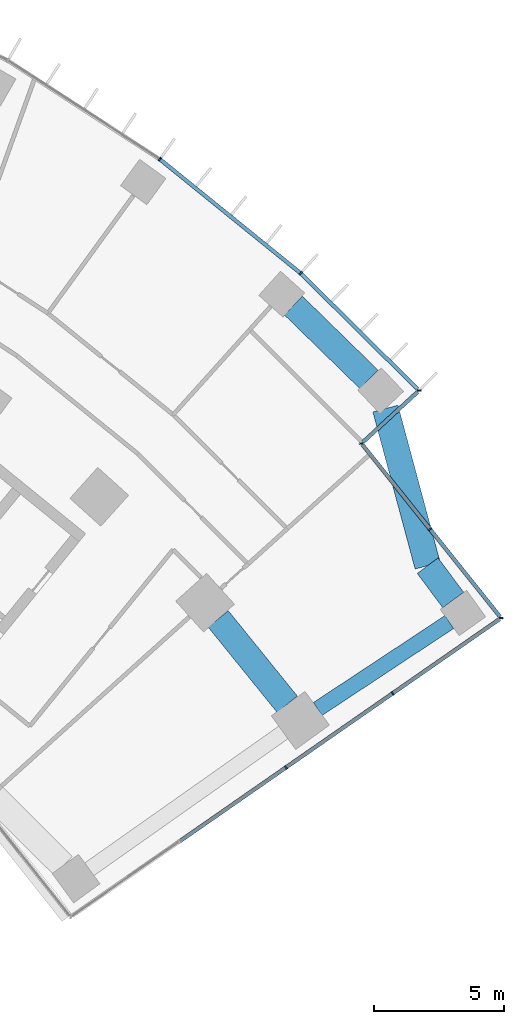
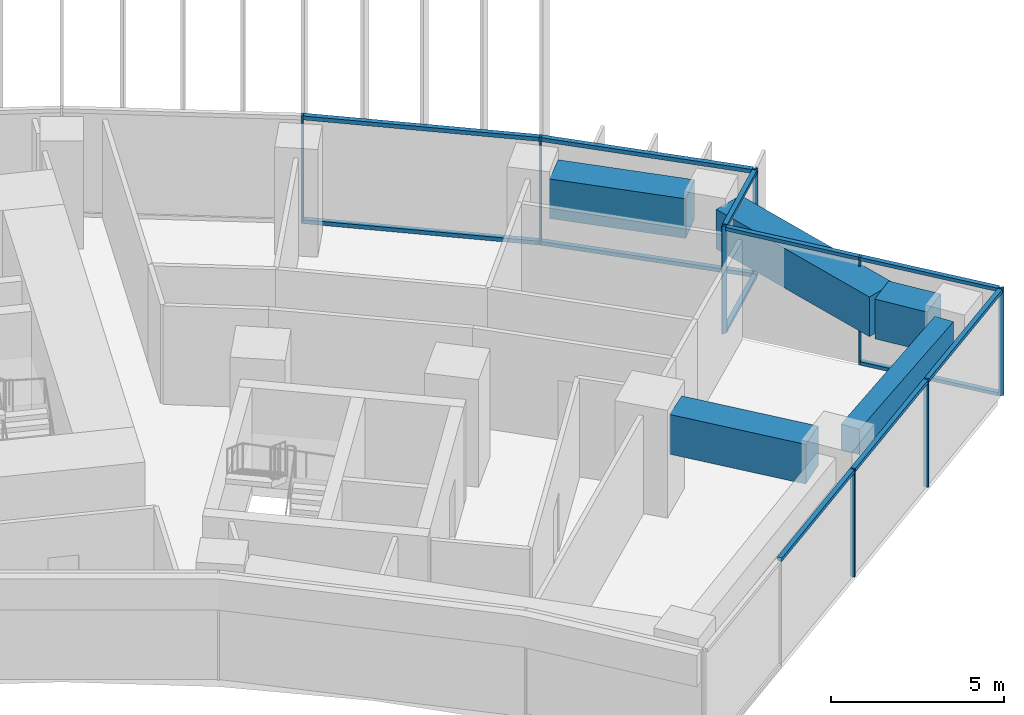
# One storey, part 11 of 24: 20 members, 5 beams, 4 elements without a shape of their own.
"""IFC4 building model written with IfcOpenShell, lengths in metres."""

from ifc_helpers import new_model, si_unit, direction, frame, origin, origin_2d, place, context, subcontext, project, spatial, rectangle, extrude, material, layer, layer_set, material_profile, profile_set, type_object, element, aggregate, save


model = new_model("IFC4")

# Units and contexts
model_context = context("Model", 3, precision=1e-05, world=origin(), true_north=direction((0.0, 1.0)))
body_context = subcontext(model_context, "Body", "Model", "MODEL_VIEW")
ifc_project = project(units=[si_unit("LENGTHUNIT", "METRE"), si_unit("AREAUNIT", "SQUARE_METRE"), si_unit("VOLUMEUNIT", "CUBIC_METRE"), si_unit("PLANEANGLEUNIT", "RADIAN"), si_unit("MASSUNIT", "GRAM", prefix="KILO")], contexts=[model_context])

# Site, building, storey
site_placement = place(None, origin())
site = spatial("IfcSite", under=ifc_project, at=site_placement, CompositionType="ELEMENT")
building_placement = place(site_placement, origin())
building = spatial("IfcBuilding", under=site, at=building_placement, Name="Stone Belt Terrace Tower", CompositionType="ELEMENT")
storey_placement = place(building_placement, frame((0.0, 0.0, 64.199951171875)))
storey = spatial("IfcBuildingStorey", under=building, at=storey_placement, Name="L15", CompositionType="ELEMENT", Elevation=64.199951171875)

# Curtain wall, members
ifc_material_1 = material(Name="Aluminium 6063-T6 anodised frame", Category="aluminium")
ifc_layer_1 = layer(ifc_material_1, 0.14990234375)
ifc_layer_set_1 = layer_set([ifc_layer_1], Name="CW-A unitised convex-face curtain wall")
curtain_wall_type_1 = type_object("IfcCurtainWallType", Name="CW-A unitised convex-face curtain wall", PredefinedType="NOTDEFINED", material=ifc_layer_set_1)
curtain_wall_1_placement = place(storey_placement, origin())
curtain_wall_1 = element("IfcCurtainWall", 1, at=curtain_wall_1_placement, inside=storey, type_object=curtain_wall_type_1, Name="CW-A convex face L15", PredefinedType="NOTDEFINED")
ifc_material_profile_1 = material_profile(ifc_material_1, rectangle(XDim=0.14990234375, YDim=0.06005859375, at=origin_2d()), Name="Aluminium 6063-T6 60x150")
ifc_profile_set_1 = profile_set([ifc_material_profile_1], Name="Aluminium 6063-T6 anodised frame")
member_type_1 = type_object("IfcMemberType", Name="CW-A mullion 60 x 150", PredefinedType="MULLION", material=ifc_profile_set_1)
member_1_placement = place(storey_placement, frame((49.104736328125, 44.960693359375, 0.0), z_axis=(0.0, 0.0, 1.0), x_axis=(-0.999817888415, 0.019083762848, 0.0)))
member_1 = element("IfcMember", 2, at=member_1_placement, type_object=member_type_1, Name="CW-A mullion 1", PredefinedType="MULLION", context=body_context, shape_type="SweptSolid", body=[
    extrude(rectangle(XDim=0.14990234375, YDim=0.06005859375, at=origin_2d()), origin(), (0.0, 0.0, 1.0), 3.800048828125),
])
member_2_placement = place(storey_placement, frame((44.54736328125, 49.47509765625, 0.0), z_axis=(0.0, 0.0, 1.0), x_axis=(-0.667371194866, -0.744725243471, 0.0)))
member_2 = element("IfcMember", 3, at=member_2_placement, type_object=member_type_1, Name="CW-A mullion 2", PredefinedType="MULLION", context=body_context, shape_type="SweptSolid", body=[
    extrude(rectangle(XDim=0.14990234375, YDim=0.06005859375, at=origin_2d()), origin(), (0.0, 0.0, 1.0), 3.800048828125),
])
member_3_placement = place(storey_placement, frame((39.1318359375, 53.8603515625, 0.0), z_axis=(0.0, 0.0, 1.0), x_axis=(-0.587785252292, -0.809016994375, 0.0)))
member_3 = element("IfcMember", 4, at=member_3_placement, type_object=member_type_1, Name="CW-A mullion 3", PredefinedType="MULLION", context=body_context, shape_type="SweptSolid", body=[
    extrude(rectangle(XDim=0.14990234375, YDim=0.06005859375, at=origin_2d()), origin(), (0.0, 0.0, 1.0), 3.800048828125),
])
ifc_material_profile_2 = material_profile(ifc_material_1, rectangle(XDim=0.14990234375, YDim=0.139892578125, at=origin_2d()), Name="Aluminium 6063-T6 150x140")
ifc_profile_set_2 = profile_set([ifc_material_profile_2], Name="Aluminium 6063-T6 anodised frame")
member_type_2 = type_object("IfcMemberType", Name="CW-A transom 140 x 150", PredefinedType="USERDEFINED", material=ifc_profile_set_2)
member_4_placement = place(storey_placement, frame((49.05126953125, 45.013427734375, 0.070068359375), z_axis=(-0.710428470855, 0.703769413799, 0.0), x_axis=(-0.703769413799, -0.710428470855, 0.0)))
member_4 = element("IfcMember", 5, at=member_4_placement, type_object=member_type_2, Name="CW-A transom 1.1", ObjectType="TRANSOM", PredefinedType="USERDEFINED", context=body_context, shape_type="SweptSolid", body=[
    extrude(rectangle(XDim=0.14990234375, YDim=0.139892578125, at=origin_2d()), origin(), (0.0, 0.0, 1.0), 6.305908203125),
])
member_5_placement = place(storey_placement, frame((49.05126953125, 45.013427734375, 3.72998046875), z_axis=(-0.710428470855, 0.703769413799, 0.0), x_axis=(-0.703769413799, -0.710428470855, 0.0)))
member_5 = element("IfcMember", 6, at=member_5_placement, type_object=member_type_2, Name="CW-A transom 1.2", ObjectType="TRANSOM", PredefinedType="USERDEFINED", context=body_context, shape_type="SweptSolid", body=[
    extrude(rectangle(XDim=0.14990234375, YDim=0.139892578125, at=origin_2d()), origin(), (0.0, 0.0, 1.0), 6.305908203125),
])
member_6_placement = place(storey_placement, frame((44.52099609375, 49.496337890625, 0.070068359375), z_axis=(-0.777141048626, 0.629326457842, 0.0), x_axis=(-0.629326457842, -0.777141048626, 0.0)))
member_6 = element("IfcMember", 7, at=member_6_placement, type_object=member_type_2, Name="CW-A transom 2.1", ObjectType="TRANSOM", PredefinedType="USERDEFINED", context=body_context, shape_type="SweptSolid", body=[
    extrude(rectangle(XDim=0.14990234375, YDim=0.139892578125, at=origin_2d()), origin(), (0.0, 0.0, 1.0), 6.900634765625),
])
member_7_placement = place(storey_placement, frame((44.52099609375, 49.496337890625, 3.72998046875), z_axis=(-0.777141048626, 0.629326457842, 0.0), x_axis=(-0.629326457842, -0.777141048626, 0.0)))
member_7 = element("IfcMember", 8, at=member_7_placement, type_object=member_type_2, Name="CW-A transom 2.2", ObjectType="TRANSOM", PredefinedType="USERDEFINED", context=body_context, shape_type="SweptSolid", body=[
    extrude(rectangle(XDim=0.14990234375, YDim=0.139892578125, at=origin_2d()), origin(), (0.0, 0.0, 1.0), 6.900634765625),
])
aggregate(curtain_wall_1, [member_1, member_2, member_3, member_4, member_5, member_6, member_7])

ifc_layer_2 = layer(ifc_material_1, 0.14990234375)
ifc_layer_set_2 = layer_set([ifc_layer_2], Name="CW-C stick curtain wall, horn ends and notches")
curtain_wall_type_2 = type_object("IfcCurtainWallType", Name="CW-C stick curtain wall, horn ends and notches", PredefinedType="NOTDEFINED", material=ifc_layer_set_2)
curtain_wall_2_placement = place(storey_placement, origin())
curtain_wall_2 = element("IfcCurtainWall", 9, at=curtain_wall_2_placement, inside=storey, type_object=curtain_wall_type_2, Name="CW-C end face L15", PredefinedType="NOTDEFINED")
ifc_material_profile_3 = material_profile(ifc_material_1, rectangle(XDim=0.14990234375, YDim=0.06005859375, at=origin_2d()), Name="Aluminium 6063-T6 60x150")
ifc_profile_set_3 = profile_set([ifc_material_profile_3], Name="Aluminium 6063-T6 anodised frame")
member_type_3 = type_object("IfcMemberType", Name="CW-C mullion 60 x 150", PredefinedType="MULLION", material=ifc_profile_set_3)
member_8_placement = place(storey_placement, frame((43.980712890625, 30.462158203125, 0.0), z_axis=(0.0, 0.0, 1.0), x_axis=(-0.570537322339, 0.821271674793, 0.0)))
member_8 = element("IfcMember", 10, at=member_8_placement, type_object=member_type_3, Name="CW-C mullion 3", PredefinedType="MULLION", context=body_context, shape_type="SweptSolid", body=[
    extrude(rectangle(XDim=0.14990234375, YDim=0.06005859375, at=origin_2d()), origin(), (0.0, 0.0, 1.0), 3.800048828125),
])
member_9_placement = place(storey_placement, frame((48.087158203125, 33.31494140625, 0.0), z_axis=(0.0, 0.0, 1.0), x_axis=(-0.570537322339, 0.821271674793, 0.0)))
member_9 = element("IfcMember", 11, at=member_9_placement, type_object=member_type_3, Name="CW-C mullion 4", PredefinedType="MULLION", context=body_context, shape_type="SweptSolid", body=[
    extrude(rectangle(XDim=0.14990234375, YDim=0.06005859375, at=origin_2d()), origin(), (0.0, 0.0, 1.0), 3.800048828125),
])

curtain_wall_3_placement = place(storey_placement, origin())
curtain_wall_3 = element("IfcCurtainWall", 12, at=curtain_wall_3_placement, inside=storey, type_object=curtain_wall_type_2, Name="CW-C notch face L15", PredefinedType="NOTDEFINED")
member_10_placement = place(storey_placement, frame((52.259521484375, 36.21337890625, 0.0), z_axis=(0.0, 0.0, 1.0), x_axis=(-0.989591903189, 0.143902276362, 0.0)))
member_10 = element("IfcMember", 13, at=member_10_placement, type_object=member_type_3, Name="CW-C mullion 1", PredefinedType="MULLION", context=body_context, shape_type="SweptSolid", body=[
    extrude(rectangle(XDim=0.14990234375, YDim=0.06005859375, at=origin_2d()), origin(), (0.0, 0.0, 1.0), 3.800048828125),
])
member_11_placement = place(storey_placement, frame((49.52685546875, 39.628662109375, 0.0), z_axis=(0.0, 0.0, 1.0), x_axis=(-0.780813712139, -0.624763912959, 0.0)))
member_11 = element("IfcMember", 14, at=member_11_placement, type_object=member_type_3, Name="CW-C mullion 2", PredefinedType="MULLION", context=body_context, shape_type="SweptSolid", body=[
    extrude(rectangle(XDim=0.14990234375, YDim=0.06005859375, at=origin_2d()), origin(), (0.0, 0.0, 1.0), 3.800048828125),
])

# Curtain wall, member
curtain_wall_4_placement = place(storey_placement, origin())
curtain_wall_4 = element("IfcCurtainWall", 15, at=curtain_wall_4_placement, inside=storey, type_object=curtain_wall_type_2, Name="CW-C notch face L15", PredefinedType="NOTDEFINED")
member_12_placement = place(storey_placement, frame((46.887939453125, 42.926513671875, 0.0), z_axis=(0.0, 0.0, 1.0), x_axis=(-0.99705735712, 0.076659158705, 0.0)))
member_12 = element("IfcMember", 16, at=member_12_placement, type_object=member_type_3, Name="CW-C mullion 1", PredefinedType="MULLION", context=body_context, shape_type="SweptSolid", body=[
    extrude(rectangle(XDim=0.14990234375, YDim=0.06005859375, at=origin_2d()), origin(), (0.0, 0.0, 1.0), 3.800048828125),
])

# Member
ifc_material_profile_4 = material_profile(ifc_material_1, rectangle(XDim=0.14990234375, YDim=0.1201171875, at=origin_2d()), Name="Aluminium 6063-T6 150x120")
ifc_profile_set_4 = profile_set([ifc_material_profile_4], Name="Aluminium 6063-T6 anodised frame")
member_type_4 = type_object("IfcMemberType", Name="CW-C transom 120 x 150", PredefinedType="USERDEFINED", material=ifc_profile_set_4)
member_13_placement = place(storey_placement, frame((39.899169921875, 27.62646484375, 3.739990234375), z_axis=(0.821260614426, 0.570553243083, 0.0), x_axis=(-0.570553243083, 0.821260614426, 0.0)))
member_13 = element("IfcMember", 17, at=member_13_placement, type_object=member_type_4, Name="CW-C transom 2.1", ObjectType="TRANSOM", PredefinedType="USERDEFINED", context=body_context, shape_type="SweptSolid", body=[
    extrude(rectangle(XDim=0.14990234375, YDim=0.1201171875, at=origin_2d()), origin(), (0.0, 0.0, 1.0), 4.940185546875),
])

member_14_placement = place(storey_placement, frame((44.00537109375, 30.479248046875, 3.739990234375), z_axis=(0.821283771249, 0.570519909454, 0.0), x_axis=(-0.570519909454, 0.821283771249, 0.0)))
member_14 = element("IfcMember", 18, at=member_14_placement, type_object=member_type_4, Name="CW-C transom 3.1", ObjectType="TRANSOM", PredefinedType="USERDEFINED", context=body_context, shape_type="SweptSolid", body=[
    extrude(rectangle(XDim=0.14990234375, YDim=0.1201171875, at=origin_2d()), origin(), (0.0, 0.0, 1.0), 4.93994140625),
])

member_15_placement = place(storey_placement, frame((48.11181640625, 33.33203125, 3.739990234375), z_axis=(0.821267127677, 0.570543867724, 0.0), x_axis=(-0.570543867724, 0.821267127677, 0.0)))
member_15 = element("IfcMember", 19, at=member_15_placement, type_object=member_type_4, Name="CW-C transom 4.1", ObjectType="TRANSOM", PredefinedType="USERDEFINED", context=body_context, shape_type="SweptSolid", body=[
    extrude(rectangle(XDim=0.14990234375, YDim=0.1201171875, at=origin_2d()), origin(), (0.0, 0.0, 1.0), 4.974853515625),
])

aggregate(curtain_wall_2, [member_8, member_9, member_13, member_14, member_15])

member_16_placement = place(storey_placement, frame((52.21240234375, 36.27197265625, 0.06005859375), z_axis=(-0.624750841732, 0.780824170832, 0.0), x_axis=(-0.780824170832, -0.624750841732, 0.0)))
member_16 = element("IfcMember", 20, at=member_16_placement, type_object=member_type_4, Name="CW-C transom 1.1", ObjectType="TRANSOM", PredefinedType="USERDEFINED", context=body_context, shape_type="SweptSolid", body=[
    extrude(rectangle(XDim=0.14990234375, YDim=0.1201171875, at=origin_2d()), origin(), (0.0, 0.0, 1.0), 4.268798828125),
])

member_17_placement = place(storey_placement, frame((52.21240234375, 36.27197265625, 3.739990234375), z_axis=(-0.624750841732, 0.780824170832, 0.0), x_axis=(-0.780824170832, -0.624750841732, 0.0)))
member_17 = element("IfcMember", 21, at=member_17_placement, type_object=member_type_4, Name="CW-C transom 1.2", ObjectType="TRANSOM", PredefinedType="USERDEFINED", context=body_context, shape_type="SweptSolid", body=[
    extrude(rectangle(XDim=0.14990234375, YDim=0.1201171875, at=origin_2d()), origin(), (0.0, 0.0, 1.0), 4.268798828125),
])

member_18_placement = place(storey_placement, frame((49.508056640625, 39.652099609375, 3.739990234375), z_axis=(-0.62478897562, 0.780793657725, 0.0), x_axis=(-0.780793657725, -0.62478897562, 0.0)))
member_18 = element("IfcMember", 22, at=member_18_placement, type_object=member_type_4, Name="CW-C transom 2.1", ObjectType="TRANSOM", PredefinedType="USERDEFINED", context=body_context, shape_type="SweptSolid", body=[
    extrude(rectangle(XDim=0.14990234375, YDim=0.1201171875, at=origin_2d()), origin(), (0.0, 0.0, 1.0), 4.12060546875),
])

aggregate(curtain_wall_3, [member_10, member_11, member_16, member_17, member_18])

member_19_placement = place(storey_placement, frame((46.94189453125, 42.975830078125, 0.06005859375), z_axis=(0.736757207499, 0.676157390848, 0.0), x_axis=(-0.676157390848, 0.736757207499, 0.0)))
member_19 = element("IfcMember", 23, at=member_19_placement, type_object=member_type_4, Name="CW-C transom 1.1", ObjectType="TRANSOM", PredefinedType="USERDEFINED", context=body_context, shape_type="SweptSolid", body=[
    extrude(rectangle(XDim=0.14990234375, YDim=0.1201171875, at=origin_2d()), origin(), (0.0, 0.0, 1.0), 2.8603515625),
])

member_20_placement = place(storey_placement, frame((46.94189453125, 42.975830078125, 3.739990234375), z_axis=(0.736757207499, 0.676157390848, 0.0), x_axis=(-0.676157390848, 0.736757207499, 0.0)))
member_20 = element("IfcMember", 24, at=member_20_placement, type_object=member_type_4, Name="CW-C transom 1.2", ObjectType="TRANSOM", PredefinedType="USERDEFINED", context=body_context, shape_type="SweptSolid", body=[
    extrude(rectangle(XDim=0.14990234375, YDim=0.1201171875, at=origin_2d()), origin(), (0.0, 0.0, 1.0), 2.8603515625),
])

aggregate(curtain_wall_4, [member_12, member_19, member_20])

# Beams
ifc_material_2 = material(Name="Concrete B60", Category="concrete")
ifc_material_profile_5 = material_profile(ifc_material_2, rectangle(XDim=0.60009765625, YDim=0.89990234375, at=origin_2d()), Name="RC 600x900")
ifc_profile_set_5 = profile_set([ifc_material_profile_5], Name="Concrete B60")
beam_type_1 = type_object("IfcBeamType", Name="Edge beam RC 600x900 B60", PredefinedType="SPANDREL", material=ifc_profile_set_5)
beam_1_placement = place(storey_placement, frame((45.204345703125, 32.7138671875, 3.030029296875), z_axis=(0.83437001068, 0.551204758032, 0.0), x_axis=(-0.551204758032, 0.83437001068, 0.0)))
element("IfcBeam", 25, at=beam_1_placement, inside=storey, type_object=beam_type_1, Name="Edge beam L15 B Q to R", PredefinedType="SPANDREL", context=body_context, shape_type="SweptSolid", body=[
    extrude(rectangle(XDim=0.60009765625, YDim=0.89990234375, at=origin_2d()), origin(), (0.0, 0.0, 1.0), 6.06884765625),
])
ifc_material_3 = material(Name="Concrete B80", Category="concrete")
ifc_material_profile_6 = material_profile(ifc_material_3, rectangle(XDim=1.0, YDim=1.39990234375, at=origin_2d()), Name="RC 1000x1400")
ifc_profile_set_6 = profile_set([ifc_material_profile_6], Name="Concrete B80")
beam_type_2 = type_object("IfcBeamType", Name="Transfer beam RC 1000x1400 B80", PredefinedType="BEAM", material=ifc_profile_set_6)
beam_2_placement = place(storey_placement, frame((41.376708984375, 36.17919921875, 2.780029296875), z_axis=(0.628845608618, -0.777530192675, 0.0), x_axis=(0.777530192675, 0.628845608618, 0.0)))
element("IfcBeam", 26, at=beam_2_placement, inside=storey, type_object=beam_type_2, Name="Transfer beam L15 QQ30-QB", PredefinedType="BEAM", context=body_context, shape_type="SweptSolid", body=[
    extrude(rectangle(XDim=1.0, YDim=1.39990234375, at=origin_2d()), origin(), (0.0, 0.0, 1.0), 4.22314453125),
])
beam_3_placement = place(storey_placement, frame((47.80859375, 44.26708984375, 2.780029296875), z_axis=(0.259661333853, -0.965699742001, 0.0), x_axis=(0.965699742001, 0.259661333853, 0.0)))
element("IfcBeam", 27, at=beam_3_placement, inside=storey, type_object=beam_type_2, Name="Transfer beam L15 RRNB-RB", PredefinedType="BEAM", context=body_context, shape_type="SweptSolid", body=[
    extrude(rectangle(XDim=1.0, YDim=1.39990234375, at=origin_2d()), origin(), (0.0, 0.0, 1.0), 6.25537109375),
])
beam_4_placement = place(storey_placement, frame((49.432861328125, 38.226318359375, 2.780029296875), z_axis=(0.597221511832, -0.802076346618, 0.0), x_axis=(0.802076346618, 0.597221511832, 0.0)))
element("IfcBeam", 28, at=beam_4_placement, inside=storey, type_object=beam_type_2, Name="Transfer beam L15 RRB-RB", PredefinedType="BEAM", context=body_context, shape_type="SweptSolid", body=[
    extrude(rectangle(XDim=1.0, YDim=1.39990234375, at=origin_2d()), origin(), (0.0, 0.0, 1.0), 1.64697265625),
])
beam_5_placement = place(storey_placement, frame((44.26806640625, 48.230712890625, 2.780029296875), z_axis=(0.715374085195, -0.698741667737, 0.0), x_axis=(0.698741667737, 0.715374085195, 0.0)))
element("IfcBeam", 29, at=beam_5_placement, inside=storey, type_object=beam_type_2, Name="Transfer beam L15 RR29-RNB", PredefinedType="BEAM", context=body_context, shape_type="SweptSolid", body=[
    extrude(rectangle(XDim=1.0, YDim=1.39990234375, at=origin_2d()), origin(), (0.0, 0.0, 1.0), 4.06591796875),
])

save(model, "model.ifc")
